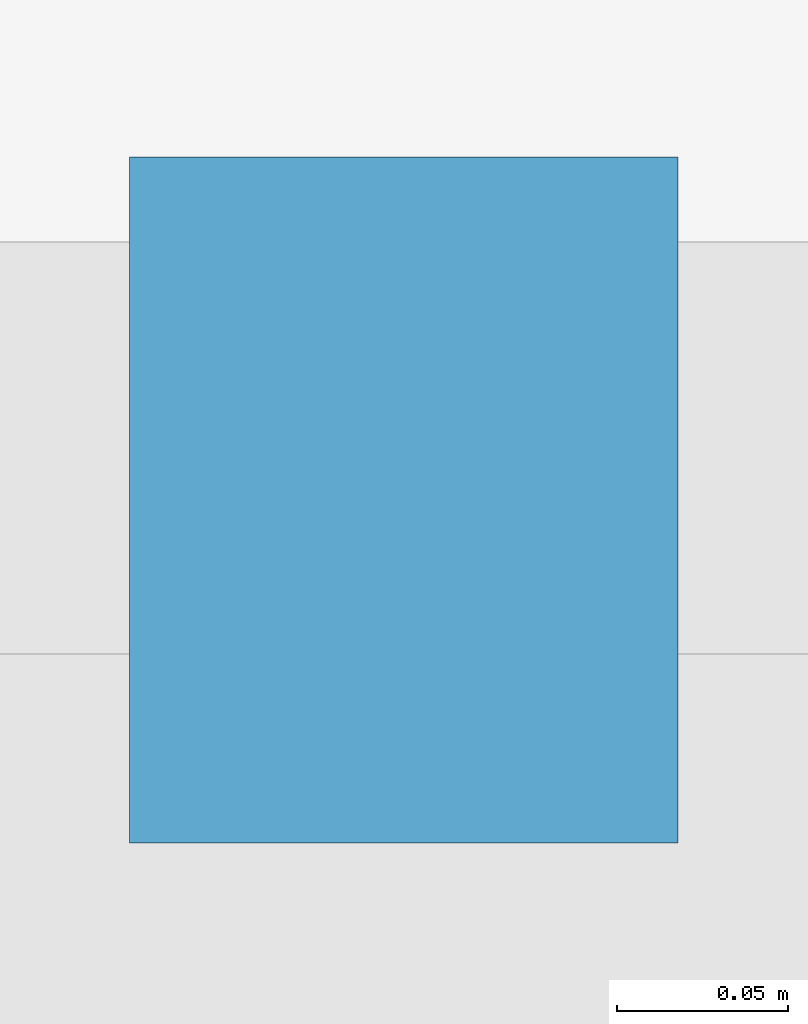
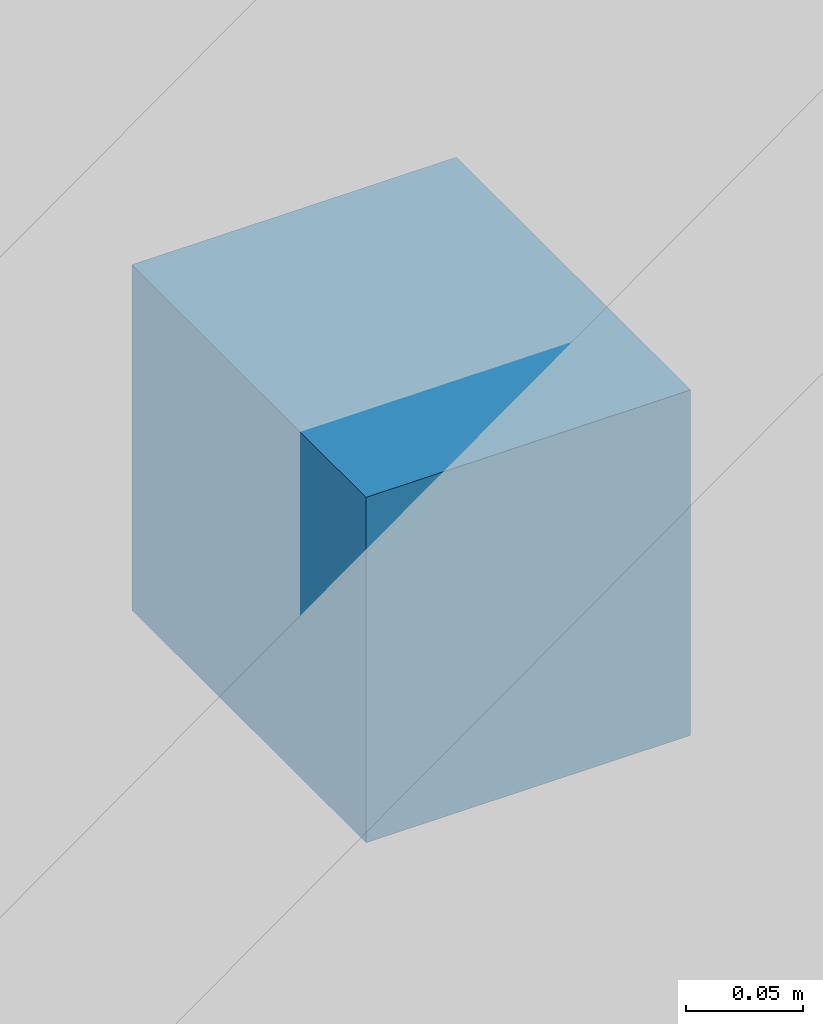
# One storey, part 17 of 22: 1 discrete accessory.
"""IFC4 building model written with IfcOpenShell, lengths in metres."""

from ifc_helpers import new_model, si_unit, direction, frame, origin, origin_2d, place, context, subcontext, project, spatial, rectangle, extrude, material, type_object, element, save


model = new_model("IFC4")

# Units and contexts
model_context = context("Model", 3, precision=1e-05, world=origin(), true_north=direction((0.0, 1.0)))
body_context = subcontext(model_context, "Body", "Model", "MODEL_VIEW")
ifc_project = project(units=[si_unit("LENGTHUNIT", "METRE"), si_unit("AREAUNIT", "SQUARE_METRE"), si_unit("VOLUMEUNIT", "CUBIC_METRE"), si_unit("PLANEANGLEUNIT", "RADIAN"), si_unit("MASSUNIT", "GRAM", prefix="KILO")], contexts=[model_context])

# Site, building, storey
site_placement = place(None, origin())
site = spatial("IfcSite", under=ifc_project, at=site_placement, CompositionType="ELEMENT")
building_placement = place(site_placement, origin())
building = spatial("IfcBuilding", under=site, at=building_placement, Name="Koriwani Terraces Tower", CompositionType="ELEMENT")
storey_placement = place(building_placement, frame((0.0, 0.0, 51.0)))
storey = spatial("IfcBuildingStorey", under=building, at=storey_placement, Name="L11", CompositionType="ELEMENT", Elevation=51.0)

# Discrete accessory
ifc_material = material(Name="Steel ASTM A572 Grade 50", Category="steel")
discrete_accessory_type = type_object("IfcDiscreteAccessoryType", Name="BAGUETTE_STANDOFF_BRACKET", PredefinedType="BRACKET", material=ifc_material)
discrete_accessory_placement = place(storey_placement, frame((71.39990234375, 0.389892578125, 1.68505859375), z_axis=(0.0, 0.0, 1.0), x_axis=(-1.0, 0.0, 0.0)))
element("IfcDiscreteAccessory", 1, at=discrete_accessory_placement, inside=storey, type_object=discrete_accessory_type, Name="L11 Terracotta Baguette Bracket (S-24)", PredefinedType="BRACKET", context=body_context, shape_type="SweptSolid", body=[
    extrude(rectangle(XDim=0.159912109375, YDim=0.199951171875, at=origin_2d()), origin(), (0.0, 0.0, 1.0), 0.179931640625),
])

save(model, "model.ifc")
